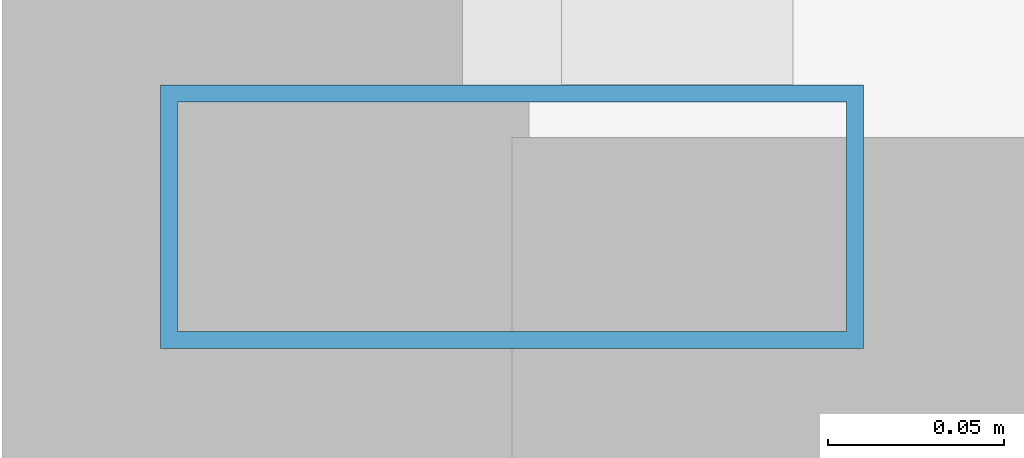
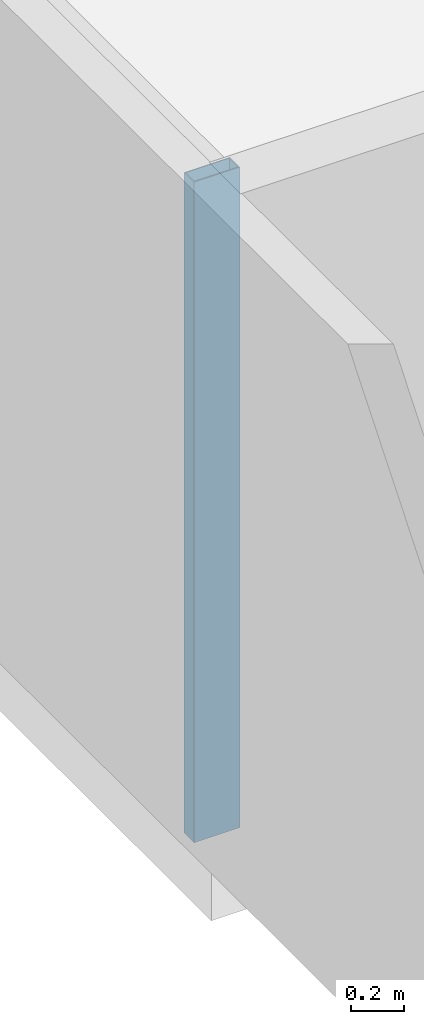
# One storey, part 2 of 25: 1 member, 1 element without a shape of its own.
"""IFC4 building model written with IfcOpenShell, lengths in metres."""

from ifc_helpers import new_model, si_unit, direction, frame, origin, origin_2d, place, context, subcontext, project, spatial, hollow_rectangle, extrude, source, transform, mapped, material, layer, layer_set, material_profile, profile_set, type_object, element, aggregate, save


model = new_model("IFC4")

# Units and contexts
model_context = context("Model", 3, precision=1e-05, world=origin(), true_north=direction((0.0, 1.0)))
body_context = subcontext(model_context, "Body", "Model", "MODEL_VIEW")
ifc_project = project(units=[si_unit("LENGTHUNIT", "METRE"), si_unit("AREAUNIT", "SQUARE_METRE"), si_unit("VOLUMEUNIT", "CUBIC_METRE"), si_unit("PLANEANGLEUNIT", "RADIAN"), si_unit("MASSUNIT", "GRAM", prefix="KILO")], contexts=[model_context])

# Site, building, storey
site_placement = place(None, origin())
site = spatial("IfcSite", under=ifc_project, at=site_placement, CompositionType="ELEMENT")
building_placement = place(site_placement, origin())
building = spatial("IfcBuilding", under=site, at=building_placement, Name="Zarnakvel Exchange Tower", CompositionType="ELEMENT")
storey_placement = place(building_placement, frame((0.0, 0.0, 169.300048828125)))
storey = spatial("IfcBuildingStorey", under=building, at=storey_placement, Name="L47", CompositionType="ELEMENT", Elevation=169.300048828125)

# Curtain wall, member
ifc_material = material(Name="Architectural Bronze Anodised Aluminium", Category="aluminium")
ifc_layer = layer(ifc_material, 0.199951171875)
ifc_layer_set = layer_set([ifc_layer], Name="Architectural Bronze Anodised Aluminium")
curtain_wall_type = type_object("IfcCurtainWallType", Name="CW-04", PredefinedType="NOTDEFINED", material=ifc_layer_set)
curtain_wall_placement = place(storey_placement, origin())
curtain_wall = element("IfcCurtainWall", 1, at=curtain_wall_placement, inside=storey, type_object=curtain_wall_type, Name="L47 Curtain Wall CW-L47-W1 (CW-04)", PredefinedType="NOTDEFINED")
ifc_material_profile = material_profile(ifc_material, hollow_rectangle(XDim=0.199951171875, YDim=0.074951171875, WallThickness=0.0048828125, at=origin_2d()))
ifc_profile_set = profile_set([ifc_material_profile], Name="Architectural Bronze Anodised Aluminium")
member_type = type_object("IfcMemberType", Name="CWM-04", PredefinedType="MULLION", material=ifc_profile_set)
shared_shape = source(origin(), body_context, "Body", "SweptSolid", [
    extrude(hollow_rectangle(XDim=0.199951171875, YDim=0.074951171875, WallThickness=0.0048828125, at=origin_2d()), origin(), (0.0, 0.0, 1.0), 3.054931640625),
])
member_placement = place(storey_placement, frame((-26.4599609375, -14.16259765625, 0.0), z_axis=(0.0, 0.0, 1.0), x_axis=(-1.0, 0.0, 0.0)))
member = element("IfcMember", 2, at=member_placement, type_object=member_type, Name="CW-04 mullion 1", PredefinedType="MULLION", context=body_context, shape_type="MappedRepresentation", body=[
    mapped(shared_shape, transform((0.0, 0.0, 0.0), x_axis=(1.0, 0.0, 0.0), y_axis=(0.0, 1.0, 0.0), z_axis=(0.0, 0.0, 1.0), scale=1.0)),
])
aggregate(curtain_wall, [member])

save(model, "model.ifc")
